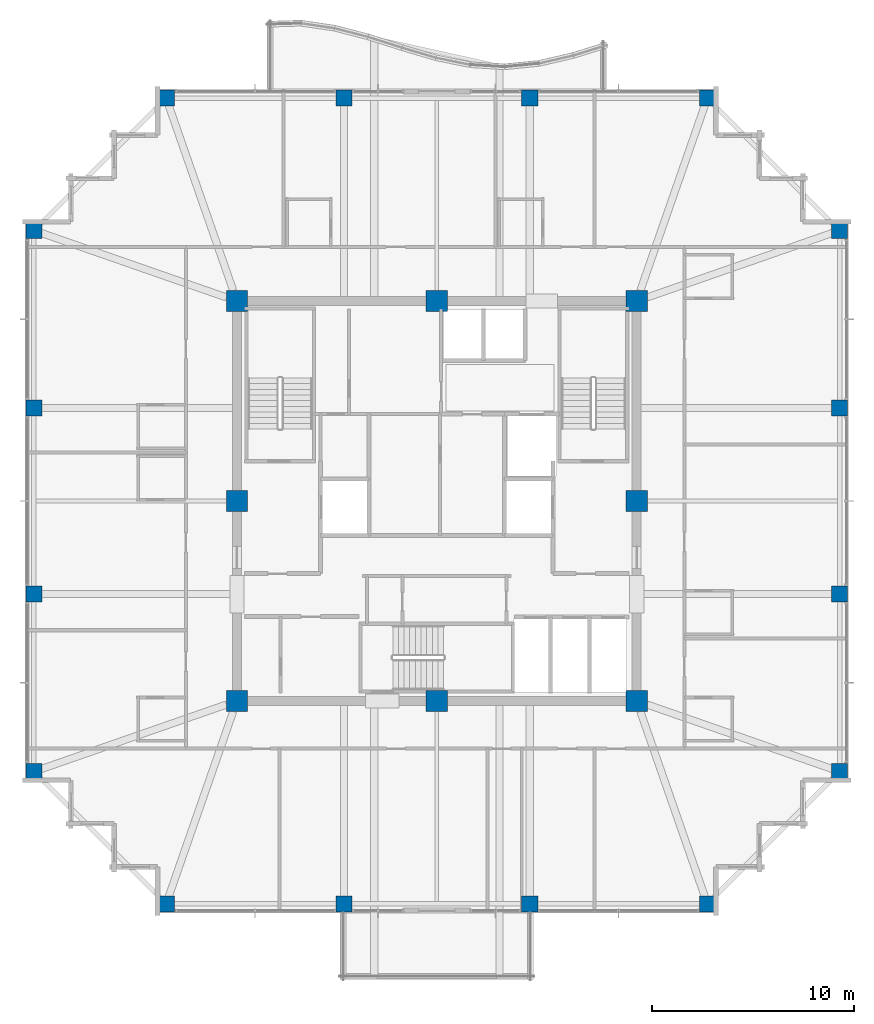
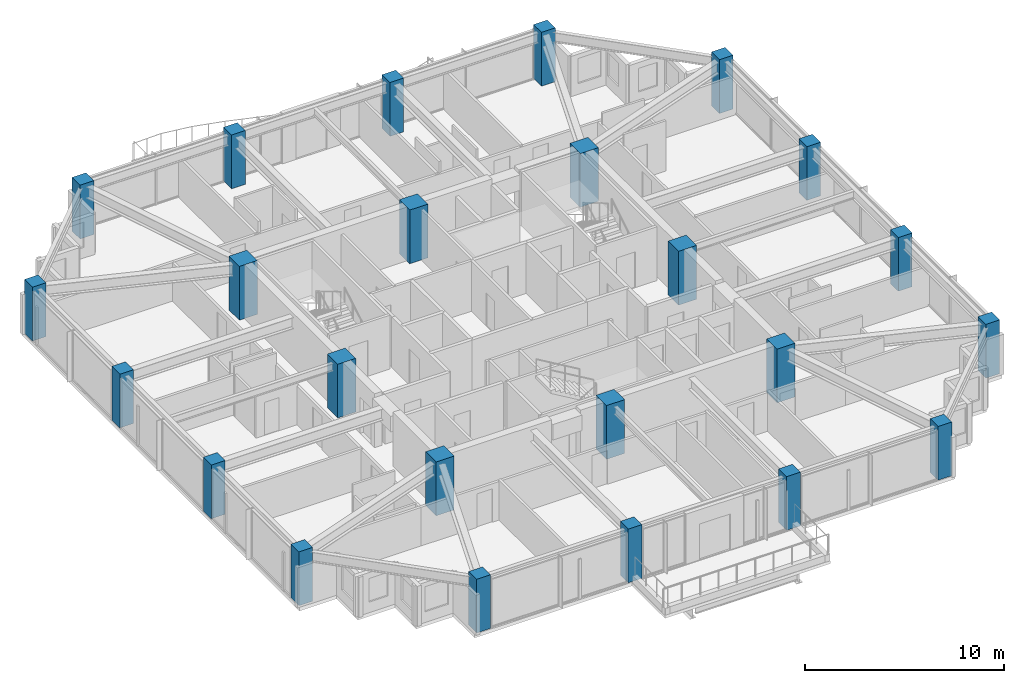
# One storey, part 1 of 36: 24 columns.
"""IFC4 building model written with IfcOpenShell, lengths in metres."""

from ifc_helpers import new_model, si_unit, direction, frame, origin, origin_2d, place, context, subcontext, project, spatial, rectangle, extrude, material, material_profile, profile_set, type_object, element, save


model = new_model("IFC4")

# Units and contexts
model_context = context("Model", 3, precision=1e-05, world=origin(), true_north=direction((0.0, 1.0)))
body_context = subcontext(model_context, "Body", "Model", "MODEL_VIEW")
ifc_project = project(units=[si_unit("LENGTHUNIT", "METRE"), si_unit("AREAUNIT", "SQUARE_METRE"), si_unit("VOLUMEUNIT", "CUBIC_METRE"), si_unit("PLANEANGLEUNIT", "RADIAN"), si_unit("MASSUNIT", "GRAM", prefix="KILO")], contexts=[model_context])

# Site, building, storey
site_placement = place(None, origin())
site = spatial("IfcSite", under=ifc_project, at=site_placement, CompositionType="ELEMENT")
building_placement = place(site_placement, origin())
building = spatial("IfcBuilding", under=site, at=building_placement, Name="Kolvaren Belvedere", CompositionType="ELEMENT")
storey_placement = place(building_placement, frame((0.0, 0.0, 226.199951171875)))
storey = spatial("IfcBuildingStorey", under=building, at=storey_placement, Name="L66", CompositionType="ELEMENT", Elevation=226.199951171875)

# Columns
ifc_material_1 = material(Name="Concrete C50/60", Category="concrete")
ifc_material_profile_1 = material_profile(ifc_material_1, rectangle(XDim=1.050048828125, YDim=1.050048828125, at=origin_2d()), Name="RC 1050X1050")
ifc_profile_set_1 = profile_set([ifc_material_profile_1], Name="Concrete C50/60")
column_type_1 = type_object("IfcColumnType", Name="COL-RC-1050", PredefinedType="COLUMN", material=ifc_profile_set_1)
for number, where, z_axis, x_axis, name in (
    (1, (-9.89990234375, -9.89990234375, 0.0), (0.0, 0.0, 1.0), (1.0, 0.0, 0.0), "L66 Core Column CC1"),
    (2, (9.89990234375, -9.89990234375, 0.0), (0.0, 0.0, 1.0), (1.0, 0.0, 0.0), "L66 Core Column CC2"),
    (3, (9.89990234375, 9.89990234375, 0.0), (0.0, 0.0, 1.0), (1.0, 0.0, 0.0), "L66 Core Column CC3"),
    (4, (-9.89990234375, 9.89990234375, 0.0), (0.0, 0.0, 1.0), (1.0, 0.0, 0.0), "L66 Core Column CC4"),
    (5, (0.0, -9.89990234375, 0.0), (0.0, 0.0, 1.0), (1.0, 0.0, 0.0), "L66 Core Column CM1"),
    (6, (9.89990234375, 0.0, 0.0), (0.0, 0.0, 1.0), (1.0, 0.0, 0.0), "L66 Core Column CM2"),
    (7, (0.0, 9.89990234375, 0.0), (0.0, 0.0, 1.0), (1.0, 0.0, 0.0), "L66 Core Column CM3"),
    (8, (-9.89990234375, 0.0, 0.0), (0.0, 0.0, 1.0), (1.0, 0.0, 0.0), "L66 Core Column CM4"),
):
    element("IfcColumn", number, at=place(storey_placement, frame(where, z_axis=z_axis, x_axis=x_axis)), inside=storey, type_object=column_type_1, Name=name, PredefinedType="COLUMN", context=body_context, shape_type="SweptSolid", body=[
        extrude(rectangle(XDim=1.050048828125, YDim=1.050048828125, at=origin_2d()), origin(), (0.0, 0.0, 1.0), 3.300048828125),
    ])
ifc_material_2 = material(Name="Concrete C50/60", Category="concrete")
ifc_material_profile_2 = material_profile(ifc_material_2, rectangle(XDim=0.800048828125, YDim=0.800048828125, at=origin_2d()), Name="RC 800X800")
ifc_profile_set_2 = profile_set([ifc_material_profile_2], Name="Concrete C50/60")
column_type_2 = type_object("IfcColumnType", Name="COL-RC-800", PredefinedType="COLUMN", material=ifc_profile_set_2)
for number, where, z_axis, x_axis, name in (
    (9, (-13.39990234375, -19.949951171875, 0.0), (0.0, 0.0, 1.0), (1.0, 0.0, 0.0), "L66 Perimeter Column S1"),
    (10, (-4.60009765625, -19.949951171875, 0.0), (0.0, 0.0, 1.0), (1.0, 0.0, 0.0), "L66 Perimeter Column S2"),
    (11, (4.60009765625, -19.949951171875, 0.0), (0.0, 0.0, 1.0), (1.0, 0.0, 0.0), "L66 Perimeter Column S3"),
    (12, (13.39990234375, -19.949951171875, 0.0), (0.0, 0.0, 1.0), (1.0, 0.0, 0.0), "L66 Perimeter Column S4"),
    (13, (-13.39990234375, 19.949951171875, 0.0), (0.0, 0.0, 1.0), (1.0, 0.0, 0.0), "L66 Perimeter Column N1"),
    (14, (-4.60009765625, 19.949951171875, 0.0), (0.0, 0.0, 1.0), (1.0, 0.0, 0.0), "L66 Perimeter Column N2"),
    (15, (4.60009765625, 19.949951171875, 0.0), (0.0, 0.0, 1.0), (1.0, 0.0, 0.0), "L66 Perimeter Column N3"),
    (16, (13.39990234375, 19.949951171875, 0.0), (0.0, 0.0, 1.0), (1.0, 0.0, 0.0), "L66 Perimeter Column N4"),
    (17, (-19.949951171875, -13.39990234375, 0.0), (0.0, 0.0, 1.0), (1.0, 0.0, 0.0), "L66 Perimeter Column W1"),
    (18, (-19.949951171875, -4.60009765625, 0.0), (0.0, 0.0, 1.0), (1.0, 0.0, 0.0), "L66 Perimeter Column W2"),
    (19, (-19.949951171875, 4.60009765625, 0.0), (0.0, 0.0, 1.0), (1.0, 0.0, 0.0), "L66 Perimeter Column W3"),
    (20, (-19.949951171875, 13.39990234375, 0.0), (0.0, 0.0, 1.0), (1.0, 0.0, 0.0), "L66 Perimeter Column W4"),
    (21, (19.949951171875, -13.39990234375, 0.0), (0.0, 0.0, 1.0), (1.0, 0.0, 0.0), "L66 Perimeter Column E1"),
    (22, (19.949951171875, -4.60009765625, 0.0), (0.0, 0.0, 1.0), (1.0, 0.0, 0.0), "L66 Perimeter Column E2"),
    (23, (19.949951171875, 4.60009765625, 0.0), (0.0, 0.0, 1.0), (1.0, 0.0, 0.0), "L66 Perimeter Column E3"),
    (24, (19.949951171875, 13.39990234375, 0.0), (0.0, 0.0, 1.0), (1.0, 0.0, 0.0), "L66 Perimeter Column E4"),
):
    element("IfcColumn", number, at=place(storey_placement, frame(where, z_axis=z_axis, x_axis=x_axis)), inside=storey, type_object=column_type_2, Name=name, PredefinedType="COLUMN", context=body_context, shape_type="SweptSolid", body=[
        extrude(rectangle(XDim=0.800048828125, YDim=0.800048828125, at=origin_2d()), origin(), (0.0, 0.0, 1.0), 3.300048828125),
    ])

save(model, "model.ifc")
